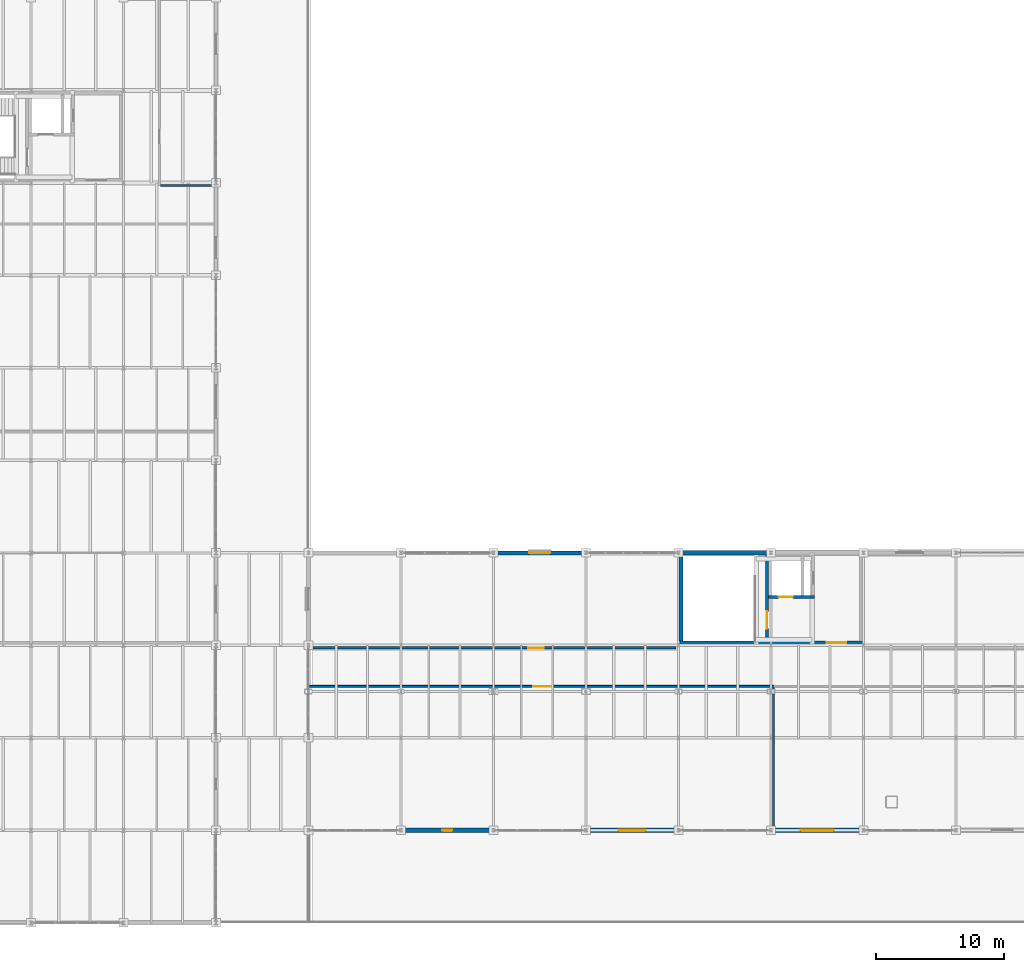
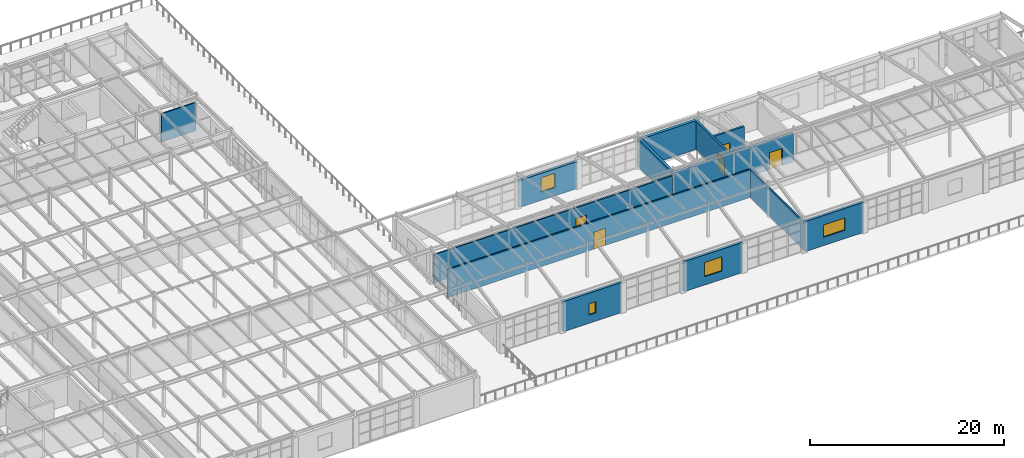
# One storey, part 92 of 101: 13 walls, 5 doors, 4 windows, 9 openings.
"""IFC4 building model written with IfcOpenShell, lengths in metres."""

from ifc_helpers import new_model, si_unit, direction, frame, frame_2d, origin, place, context, subcontext, project, spatial, rectangle, extrude, material, layer, layer_set, type_object, element, fill, save


model = new_model("IFC4")

# Units and contexts
model_context = context("Model", 3, precision=1e-05, world=origin(), true_north=direction((0.0, 1.0)))
body_context = subcontext(model_context, "Body", "Model", "MODEL_VIEW")
ifc_project = project(units=[si_unit("LENGTHUNIT", "METRE"), si_unit("AREAUNIT", "SQUARE_METRE"), si_unit("VOLUMEUNIT", "CUBIC_METRE"), si_unit("PLANEANGLEUNIT", "RADIAN"), si_unit("MASSUNIT", "GRAM", prefix="KILO")], contexts=[model_context])

# Site, building, storey
site_placement = place(None, origin())
site = spatial("IfcSite", under=ifc_project, at=site_placement, CompositionType="ELEMENT")
building_placement = place(site_placement, origin())
building = spatial("IfcBuilding", under=site, at=building_placement, Name="Kemerveld Promenade Tramway Depot", CompositionType="ELEMENT")
storey_placement = place(building_placement, frame((0.0, 0.0, 9.89990234375)))
storey = spatial("IfcBuildingStorey", under=building, at=storey_placement, Name="L02", CompositionType="ELEMENT", Elevation=9.89990234375)

# Wall, opening, door
ifc_material_1 = material(Name="Concrete C40/50", Category="concrete")
ifc_layer_1 = layer(ifc_material_1, 0.25)
ifc_layer_set_1 = layer_set([ifc_layer_1], Name="WL-CORE-250")
wall_type_1 = type_object("IfcWallType", Name="WL-CORE-250", PredefinedType="SHEAR", material=ifc_layer_set_1)
wall_1_placement = place(storey_placement, frame((93.300048828125, 21.949951171875, 0.0), z_axis=(0.0, 0.0, 1.0), x_axis=(0.0, 1.0, 0.0)))
wall_1 = element("IfcWall", 1, at=wall_1_placement, inside=storey, type_object=wall_type_1, Name="WL-C4-L02-SDIV", PredefinedType="SHEAR", context=body_context, shape_type="SweptSolid", body=[
    extrude(rectangle(XDim=6.670166015625, YDim=0.25, at=frame_2d((3.3349609375, 0.0))), origin(), (0.0, 0.0, 1.0), 3.60009765625),
])
opening_1_placement = place(wall_1_placement, frame((0.949951171875, 0.0, 0.0)))
opening_1 = element("IfcOpeningElement", 2, at=opening_1_placement, cuts=wall_1, Name="Opening D-565", PredefinedType="OPENING", context=body_context, shape_type="SweptSolid", body=[
    extrude(rectangle(XDim=1.35009765625, YDim=2.14990234375, at=frame_2d((0.675048828125, 1.074951171875))), frame((0.0, 0.135009765625, 0.0), z_axis=(0.0, -1.0, 0.0), x_axis=(1.0, 0.0, 0.0)), (0.0, 0.0, 1.0), 0.27001953125),
])
ifc_material_2 = material(Name="Galvanised steel fire stair door", Category="steel")
door_type_1 = type_object("IfcDoorType", Name="DR-FD120", OperationType="NOTDEFINED", PredefinedType="DOOR", material=ifc_material_2)
door_1_placement = place(opening_1_placement, origin())
door_1 = element("IfcDoor", 3, at=door_1_placement, inside=storey, type_object=door_type_1, Name="DR-C4-L02-STAIR", OperationType="SINGLE_SWING_RIGHT", OverallHeight=2.14990234375, OverallWidth=1.35009765625, PredefinedType="DOOR", context=body_context, shape_type="SweptSolid", body=[
    extrude(rectangle(XDim=1.35009765625, YDim=2.14990234375, at=frame_2d((0.675048828125, 1.074951171875))), frame((0.0, 0.02490234375, 0.0), z_axis=(0.0, -1.0, 0.0), x_axis=(1.0, 0.0, 0.0)), (0.0, 0.0, 1.0), 0.050048828125),
])
fill(opening_1, door_1)

wall_2_placement = place(storey_placement, frame((93.425048828125, 25.360107421875, 0.0), z_axis=(0.0, 0.0, 1.0), x_axis=(1.0, 0.0, 0.0)))
wall_2 = element("IfcWall", 4, at=wall_2_placement, inside=storey, type_object=wall_type_1, Name="WL-C4-L02-LSHS", PredefinedType="SHEAR", context=body_context, shape_type="SweptSolid", body=[
    extrude(rectangle(XDim=3.579833984375, YDim=0.25, at=frame_2d((1.7900390625, 0.0))), origin(), (0.0, 0.0, 1.0), 3.60009765625),
])
opening_2_placement = place(wall_2_placement, frame((0.77490234375, 0.0, 0.0)))
opening_2 = element("IfcOpeningElement", 5, at=opening_2_placement, cuts=wall_2, Name="Opening LD-566", PredefinedType="OPENING", context=body_context, shape_type="SweptSolid", body=[
    extrude(rectangle(XDim=1.10009765625, YDim=2.14990234375, at=frame_2d((0.550048828125, 1.074951171875))), frame((0.0, 0.135009765625, 0.0), z_axis=(0.0, -1.0, 0.0), x_axis=(1.0, 0.0, 0.0)), (0.0, 0.0, 1.0), 0.27001953125),
])
ifc_material_3 = material(Name="Brushed stainless steel sliding lift landing door", Category="steel")
door_type_2 = type_object("IfcDoorType", Name="DR-LD01", OperationType="SLIDING_TO_LEFT", PredefinedType="DOOR", material=ifc_material_3)
door_2_placement = place(opening_2_placement, origin())
door_2 = element("IfcDoor", 6, at=door_2_placement, inside=storey, type_object=door_type_2, Name="DR-C4-L02-LIFT", OperationType="SLIDING_TO_LEFT", OverallHeight=2.14990234375, OverallWidth=1.10009765625, PredefinedType="DOOR", context=body_context, shape_type="SweptSolid", body=[
    extrude(rectangle(XDim=1.10009765625, YDim=2.14990234375, at=frame_2d((0.550048828125, 1.074951171875))), frame((0.0, 0.02490234375, 0.0), z_axis=(0.0, -1.0, 0.0), x_axis=(1.0, 0.0, 0.0)), (0.0, 0.0, 1.0), 0.050048828125),
])
fill(opening_2, door_2)

ifc_layer_2 = layer(ifc_material_1, 0.300048828125)
ifc_layer_set_2 = layer_set([ifc_layer_2], Name="WL-CORE-300")
wall_type_2 = type_object("IfcWallType", Name="WL-CORE-300", PredefinedType="SHEAR", material=ifc_layer_set_2)
wall_3_placement = place(storey_placement, frame((86.449951171875, 21.800048828125, 0.0), z_axis=(0.0, 0.0, 1.0), x_axis=(1.0, 0.0, 0.0)))
wall_3 = element("IfcWall", 7, at=wall_3_placement, inside=storey, type_object=wall_type_2, Name="WL-C4-L02-S", PredefinedType="SHEAR", context=body_context, shape_type="SweptSolid", body=[
    extrude(rectangle(XDim=14.35009765625, YDim=0.300048828125, at=frame_2d((7.175048828125, 0.0))), origin(), (0.0, 0.0, 1.0), 3.60009765625),
])
opening_3_placement = place(wall_3_placement, frame((11.5, 0.0, 0.0)))
opening_3 = element("IfcOpeningElement", 8, at=opening_3_placement, cuts=wall_3, Name="Opening D-568", PredefinedType="OPENING", context=body_context, shape_type="SweptSolid", body=[
    extrude(rectangle(XDim=1.5, YDim=2.14990234375, at=frame_2d((0.75, 1.074951171875))), frame((0.0, 0.159912109375, 0.0), z_axis=(0.0, -1.0, 0.0), x_axis=(1.0, 0.0, 0.0)), (0.0, 0.0, 1.0), 0.320068359375),
])
ifc_material_4 = material(Name="Timber-faced acoustic fire lobby door", Category="wood")
door_type_3 = type_object("IfcDoorType", Name="DR-FD60A", OperationType="NOTDEFINED", PredefinedType="DOOR", material=ifc_material_4)
door_3_placement = place(opening_3_placement, origin())
door_3 = element("IfcDoor", 9, at=door_3_placement, inside=storey, type_object=door_type_3, Name="DR-C4-L02-LOBBY", OperationType="SINGLE_SWING_RIGHT", OverallHeight=2.14990234375, OverallWidth=1.5, PredefinedType="DOOR", context=body_context, shape_type="SweptSolid", body=[
    extrude(rectangle(XDim=1.5, YDim=2.14990234375, at=frame_2d((0.75, 1.074951171875))), frame((0.0, 0.02490234375, 0.0), z_axis=(0.0, -1.0, 0.0), x_axis=(1.0, 0.0, 0.0)), (0.0, 0.0, 1.0), 0.050048828125),
])
fill(opening_3, door_3)

# Wall
wall_4_placement = place(storey_placement, frame((86.60009765625, 21.949951171875, 0.0), z_axis=(0.0, 0.0, 1.0), x_axis=(0.0, 1.0, 0.0)))
element("IfcWall", 10, at=wall_4_placement, inside=storey, type_object=wall_type_2, Name="WL-C4-L02-W", PredefinedType="SHEAR", context=body_context, shape_type="SweptSolid", body=[
    extrude(rectangle(XDim=6.670166015625, YDim=0.300048828125, at=frame_2d((3.3349609375, 0.0))), origin(), (0.0, 0.0, 1.0), 3.60009765625),
])

# Wall, opening, window
ifc_material_5 = material(Name="Banded granite and red-ochre clay brick masonry", Category="masonry")
ifc_layer_3 = layer(ifc_material_5, 0.320068359375)
ifc_layer_set_3 = layer_set([ifc_layer_3], Name="WL-EXT-320")
wall_type_3 = type_object("IfcWallType", Name="WL-EXT-320", PredefinedType="SOLIDWALL", material=ifc_layer_set_3)
wall_5_placement = place(storey_placement, frame((100.67529296875, 7.199951171875, 0.0), z_axis=(0.0, 0.0, 1.0), x_axis=(-1.0, 0.0, 0.0)))
wall_5 = element("IfcWall", 11, at=wall_5_placement, inside=storey, type_object=wall_type_3, Name="WL-L02-V4S-05", PredefinedType="SOLIDWALL", context=body_context, shape_type="SweptSolid", body=[
    extrude(rectangle(XDim=6.950439453125, YDim=0.320068359375, at=frame_2d((3.47509765625, 0.0))), origin(), (0.0, 0.0, 1.0), 3.800048828125),
])
opening_4_placement = place(wall_5_placement, frame((2.195068359375, 0.0, 1.050048828125)))
opening_4 = element("IfcOpeningElement", 12, at=opening_4_placement, cuts=wall_5, Name="Opening W-202", PredefinedType="OPENING", context=body_context, shape_type="SweptSolid", body=[
    extrude(rectangle(XDim=2.56005859375, YDim=1.550048828125, at=frame_2d((1.280029296875, 0.77490234375))), frame((0.0, 0.169921875, 0.0), z_axis=(0.0, -1.0, 0.0), x_axis=(1.0, 0.0, 0.0)), (0.0, 0.0, 1.0), 0.340087890625),
])
ifc_material_6 = material(Name="Bronze anodised aluminium and low-e glass", Category="aluminium")
window_type_1 = type_object("IfcWindowType", Name="WN-39", PartitioningType="SINGLE_PANEL", PredefinedType="WINDOW", material=ifc_material_6)
window_1_placement = place(opening_4_placement, origin())
window_1 = element("IfcWindow", 13, at=window_1_placement, inside=storey, type_object=window_type_1, Name="WN-L02-V4S-05", OverallHeight=1.550048828125, OverallWidth=2.56005859375, PartitioningType="SINGLE_PANEL", PredefinedType="WINDOW", context=body_context, shape_type="SweptSolid", body=[
    extrude(rectangle(XDim=2.56005859375, YDim=1.550048828125, at=frame_2d((1.280029296875, 0.77490234375))), frame((0.0, 0.030029296875, 0.0), z_axis=(0.0, -1.0, 0.0), x_axis=(1.0, 0.0, 0.0)), (0.0, 0.0, 1.0), 0.06005859375),
])
fill(opening_4, window_1)

wall_6_placement = place(storey_placement, frame((86.275146484375, 7.199951171875, 0.0), z_axis=(0.0, 0.0, 1.0), x_axis=(-1.0, 0.0, 0.0)))
wall_6 = element("IfcWall", 14, at=wall_6_placement, inside=storey, type_object=wall_type_3, Name="WL-L02-V4S-07", PredefinedType="SOLIDWALL", context=body_context, shape_type="SweptSolid", body=[
    extrude(rectangle(XDim=6.950439453125, YDim=0.320068359375, at=frame_2d((3.47509765625, 0.0))), origin(), (0.0, 0.0, 1.0), 3.800048828125),
])
opening_5_placement = place(wall_6_placement, frame((2.425048828125, 0.0, 1.050048828125)))
opening_5 = element("IfcOpeningElement", 15, at=opening_5_placement, cuts=wall_6, Name="Opening W-203", PredefinedType="OPENING", context=body_context, shape_type="SweptSolid", body=[
    extrude(rectangle(XDim=2.10009765625, YDim=1.800048828125, at=frame_2d((1.050048828125, 0.89990234375))), frame((0.0, 0.169921875, 0.0), z_axis=(0.0, -1.0, 0.0), x_axis=(1.0, 0.0, 0.0)), (0.0, 0.0, 1.0), 0.340087890625),
])
window_type_2 = type_object("IfcWindowType", Name="WN-09", PartitioningType="SINGLE_PANEL", PredefinedType="WINDOW", material=ifc_material_6)
window_2_placement = place(opening_5_placement, origin())
window_2 = element("IfcWindow", 16, at=window_2_placement, inside=storey, type_object=window_type_2, Name="WN-L02-V4S-07", OverallHeight=1.800048828125, OverallWidth=2.10009765625, PartitioningType="SINGLE_PANEL", PredefinedType="WINDOW", context=body_context, shape_type="SweptSolid", body=[
    extrude(rectangle(XDim=2.10009765625, YDim=1.800048828125, at=frame_2d((1.050048828125, 0.89990234375))), frame((0.0, 0.030029296875, 0.0), z_axis=(0.0, -1.0, 0.0), x_axis=(1.0, 0.0, 0.0)), (0.0, 0.0, 1.0), 0.06005859375),
])
fill(opening_5, window_2)

wall_7_placement = place(storey_placement, frame((71.875244140625, 7.199951171875, 0.0), z_axis=(0.0, 0.0, 1.0), x_axis=(-1.0, 0.0, 0.0)))
wall_7 = element("IfcWall", 17, at=wall_7_placement, inside=storey, type_object=wall_type_3, Name="WL-L02-V4S-09", PredefinedType="SOLIDWALL", context=body_context, shape_type="SweptSolid", body=[
    extrude(rectangle(XDim=6.950439453125, YDim=0.320068359375, at=frame_2d((3.47509765625, 0.0))), origin(), (0.0, 0.0, 1.0), 3.800048828125),
])
opening_6_placement = place(wall_7_placement, frame((3.074951171875, 0.0, 1.050048828125)))
opening_6 = element("IfcOpeningElement", 18, at=opening_6_placement, cuts=wall_7, Name="Opening W-204", PredefinedType="OPENING", context=body_context, shape_type="SweptSolid", body=[
    extrude(rectangle(XDim=0.800048828125, YDim=1.39990234375, at=frame_2d((0.39990234375, 0.699951171875))), frame((0.0, 0.169921875, 0.0), z_axis=(0.0, -1.0, 0.0), x_axis=(1.0, 0.0, 0.0)), (0.0, 0.0, 1.0), 0.340087890625),
])
window_type_3 = type_object("IfcWindowType", Name="WN-19", PartitioningType="SINGLE_PANEL", PredefinedType="WINDOW", material=ifc_material_6)
window_3_placement = place(opening_6_placement, origin())
window_3 = element("IfcWindow", 19, at=window_3_placement, inside=storey, type_object=window_type_3, Name="WN-L02-V4S-09", OverallHeight=1.39990234375, OverallWidth=0.800048828125, PartitioningType="SINGLE_PANEL", PredefinedType="WINDOW", context=body_context, shape_type="SweptSolid", body=[
    extrude(rectangle(XDim=0.800048828125, YDim=1.39990234375, at=frame_2d((0.39990234375, 0.699951171875))), frame((0.0, 0.030029296875, 0.0), z_axis=(0.0, -1.0, 0.0), x_axis=(1.0, 0.0, 0.0)), (0.0, 0.0, 1.0), 0.06005859375),
])
fill(opening_6, window_3)

wall_8_placement = place(storey_placement, frame((72.124755859375, 28.800048828125, 0.0), z_axis=(0.0, 0.0, 1.0), x_axis=(1.0, 0.0, 0.0)))
wall_8 = element("IfcWall", 20, at=wall_8_placement, inside=storey, type_object=wall_type_3, Name="WL-L02-V4N-03", PredefinedType="SOLIDWALL", context=body_context, shape_type="SweptSolid", body=[
    extrude(rectangle(XDim=6.950439453125, YDim=0.320068359375, at=frame_2d((3.47509765625, 0.0))), origin(), (0.0, 0.0, 1.0), 3.404296875),
])
opening_7_placement = place(wall_8_placement, frame((2.64501953125, 0.0, 1.050048828125)))
opening_7 = element("IfcOpeningElement", 21, at=opening_7_placement, cuts=wall_8, Name="Opening W-205", PredefinedType="OPENING", context=body_context, shape_type="SweptSolid", body=[
    extrude(rectangle(XDim=1.659912109375, YDim=1.800048828125, at=frame_2d((0.830078125, 0.89990234375))), frame((0.0, 0.169921875, 0.0), z_axis=(0.0, -1.0, 0.0), x_axis=(1.0, 0.0, 0.0)), (0.0, 0.0, 1.0), 0.340087890625),
])
window_type_4 = type_object("IfcWindowType", Name="WN-29", PartitioningType="SINGLE_PANEL", PredefinedType="WINDOW", material=ifc_material_6)
window_4_placement = place(opening_7_placement, origin())
window_4 = element("IfcWindow", 22, at=window_4_placement, inside=storey, type_object=window_type_4, Name="WN-L02-V4N-03", OverallHeight=1.800048828125, OverallWidth=1.659912109375, PartitioningType="SINGLE_PANEL", PredefinedType="WINDOW", context=body_context, shape_type="SweptSolid", body=[
    extrude(rectangle(XDim=1.659912109375, YDim=1.800048828125, at=frame_2d((0.830078125, 0.89990234375))), frame((0.0, 0.030029296875, 0.0), z_axis=(0.0, -1.0, 0.0), x_axis=(1.0, 0.0, 0.0)), (0.0, 0.0, 1.0), 0.06005859375),
])
fill(opening_7, window_4)

# Wall
ifc_layer_4 = layer(ifc_material_1, 0.360107421875)
ifc_layer_set_4 = layer_set([ifc_layer_4], Name="WL-EXT-CORE")
wall_type_4 = type_object("IfcWallType", Name="WL-EXT-CORE", PredefinedType="SHEAR", material=ifc_layer_set_4)
wall_9_placement = place(storey_placement, frame((86.39990234375, 28.800048828125, 0.0), z_axis=(0.0, 0.0, 1.0), x_axis=(1.0, 0.0, 0.0)))
element("IfcWall", 23, at=wall_9_placement, inside=storey, type_object=wall_type_4, Name="WL-L02-V4N-05", PredefinedType="SHEAR", context=body_context, shape_type="SweptSolid", body=[
    extrude(rectangle(XDim=7.2001953125, YDim=0.360107421875, at=frame_2d((3.60009765625, 0.0))), origin(), (0.0, 0.0, 1.0), 3.60498046875),
])

# Wall, opening, door
ifc_material_7 = material(Name="Fire-rated gypsum stud partition")
ifc_layer_5 = layer(ifc_material_7, 0.14501953125)
ifc_layer_set_5 = layer_set([ifc_layer_5], Name="WL-PRT-145")
wall_type_5 = type_object("IfcWallType", Name="WL-PRT-145", PredefinedType="PARTITIONING", material=ifc_layer_set_5)
wall_10_placement = place(storey_placement, frame((57.679931640625, 18.39990234375, 0.0), z_axis=(0.0, 0.0, 1.0), x_axis=(1.0, 0.0, 0.0)))
wall_10 = element("IfcWall", 24, at=wall_10_placement, inside=storey, type_object=wall_type_5, Name="WL-PRT-RM-L02-V4-ARCH", PredefinedType="PARTITIONING", context=body_context, shape_type="SweptSolid", body=[
    extrude(rectangle(XDim=36.1201171875, YDim=0.14501953125, at=frame_2d((18.06005859375, 0.0))), origin(), (0.0, 0.0, 1.0), 3.550048828125),
])
opening_8_placement = place(wall_10_placement, frame((17.419921875, 0.0, 0.0)))
opening_8 = element("IfcOpeningElement", 25, at=opening_8_placement, cuts=wall_10, Name="Opening D-654", PredefinedType="OPENING", context=body_context, shape_type="SweptSolid", body=[
    extrude(rectangle(XDim=1.39990234375, YDim=2.14990234375, at=frame_2d((0.699951171875, 1.074951171875))), frame((0.0, 0.08251953125, 0.0), z_axis=(0.0, -1.0, 0.0), x_axis=(1.0, 0.0, 0.0)), (0.0, 0.0, 1.0), 0.1650390625),
])
ifc_material_8 = material(Name="Timber-faced fire corridor door", Category="wood")
door_type_4 = type_object("IfcDoorType", Name="DR-FD60B", OperationType="NOTDEFINED", PredefinedType="DOOR", material=ifc_material_8)
door_4_placement = place(opening_8_placement, origin())
door_4 = element("IfcDoor", 26, at=door_4_placement, inside=storey, type_object=door_type_4, Name="DR-RM-RM-L02-V4-ARCH", OperationType="SINGLE_SWING_LEFT", OverallHeight=2.14990234375, OverallWidth=1.39990234375, PredefinedType="DOOR", context=body_context, shape_type="SweptSolid", body=[
    extrude(rectangle(XDim=1.39990234375, YDim=2.14990234375, at=frame_2d((0.699951171875, 1.074951171875))), frame((0.0, 0.02490234375, 0.0), z_axis=(0.0, -1.0, 0.0), x_axis=(1.0, 0.0, 0.0)), (0.0, 0.0, 1.0), 0.050048828125),
])
fill(opening_8, door_4)

# Walls
ifc_material_9 = material(Name="Acoustic twin-stud gypsum partition")
ifc_layer_6 = layer(ifc_material_9, 0.159912109375)
ifc_layer_set_6 = layer_set([ifc_layer_6], Name="WL-PRT-160")
wall_type_6 = type_object("IfcWallType", Name="WL-PRT-160", PredefinedType="PARTITIONING", material=ifc_layer_set_6)
wall_11_placement = place(storey_placement, frame((93.800048828125, 7.360107421875, 0.0), z_axis=(0.0, 0.0, 1.0), x_axis=(0.0, 1.0, 0.0)))
element("IfcWall", 27, at=wall_11_placement, inside=storey, type_object=wall_type_6, Name="WL-DIV-L02-001", PredefinedType="PARTITIONING", context=body_context, shape_type="SweptSolid", body=[
    extrude(rectangle(XDim=10.966796875, YDim=0.159912109375, at=frame_2d((5.4833984375, 0.0))), origin(), (0.0, 0.0, 1.0), 3.550048828125),
])
wall_12_placement = place(storey_placement, frame((46.0869140625, 57.39990234375, 0.0), z_axis=(0.0, 0.0, 1.0), x_axis=(1.0, 0.0, 0.0)))
element("IfcWall", 28, at=wall_12_placement, inside=storey, type_object=wall_type_6, Name="WL-DIV-L02-016", PredefinedType="PARTITIONING", context=body_context, shape_type="SweptSolid", body=[
    extrude(rectangle(XDim=4.153076171875, YDim=0.159912109375, at=frame_2d((2.07666015625, 0.0))), origin(), (0.0, 0.0, 1.0), 3.550048828125),
])

# Wall, opening, door
ifc_material_10 = material(Name="Workshop acoustic block partition")
ifc_layer_7 = layer(ifc_material_10, 0.175048828125)
ifc_layer_set_7 = layer_set([ifc_layer_7], Name="WL-PRT-175")
wall_type_7 = type_object("IfcWallType", Name="WL-PRT-175", PredefinedType="PARTITIONING", material=ifc_layer_set_7)
wall_13_placement = place(storey_placement, frame((57.760009765625, 21.39990234375, 0.0), z_axis=(0.0, 0.0, 1.0), x_axis=(1.0, 0.0, 0.0)))
wall_13 = element("IfcWall", 29, at=wall_13_placement, inside=storey, type_object=wall_type_7, Name="WL-PRT-RM-L02-V4-CUR", PredefinedType="PARTITIONING", context=body_context, shape_type="SweptSolid", body=[
    extrude(rectangle(XDim=28.43994140625, YDim=0.175048828125, at=frame_2d((14.219970703125, 0.0))), origin(), (0.0, 0.0, 1.0), 3.550048828125),
])
opening_9_placement = place(wall_13_placement, frame((16.947998046875, 0.0, 0.0)))
opening_9 = element("IfcOpeningElement", 30, at=opening_9_placement, cuts=wall_13, Name="Opening D-656", PredefinedType="OPENING", context=body_context, shape_type="SweptSolid", body=[
    extrude(rectangle(XDim=1.219970703125, YDim=2.199951171875, at=frame_2d((0.60986328125, 1.10009765625))), frame((0.0, 0.097412109375, 0.0), z_axis=(0.0, -1.0, 0.0), x_axis=(1.0, 0.0, 0.0)), (0.0, 0.0, 1.0), 0.195068359375),
])
ifc_material_11 = material(Name="Wide simulator bay door")
door_type_5 = type_object("IfcDoorType", Name="DR-INT14", OperationType="NOTDEFINED", PredefinedType="DOOR", material=ifc_material_11)
door_5_placement = place(opening_9_placement, origin())
door_5 = element("IfcDoor", 31, at=door_5_placement, inside=storey, type_object=door_type_5, Name="DR-RM-RM-L02-V4-CUR", OperationType="SINGLE_SWING_LEFT", OverallHeight=2.199951171875, OverallWidth=1.219970703125, PredefinedType="DOOR", context=body_context, shape_type="SweptSolid", body=[
    extrude(rectangle(XDim=1.219970703125, YDim=2.199951171875, at=frame_2d((0.60986328125, 1.10009765625))), frame((0.0, 0.02490234375, 0.0), z_axis=(0.0, -1.0, 0.0), x_axis=(1.0, 0.0, 0.0)), (0.0, 0.0, 1.0), 0.050048828125),
])
fill(opening_9, door_5)

save(model, "model.ifc")
